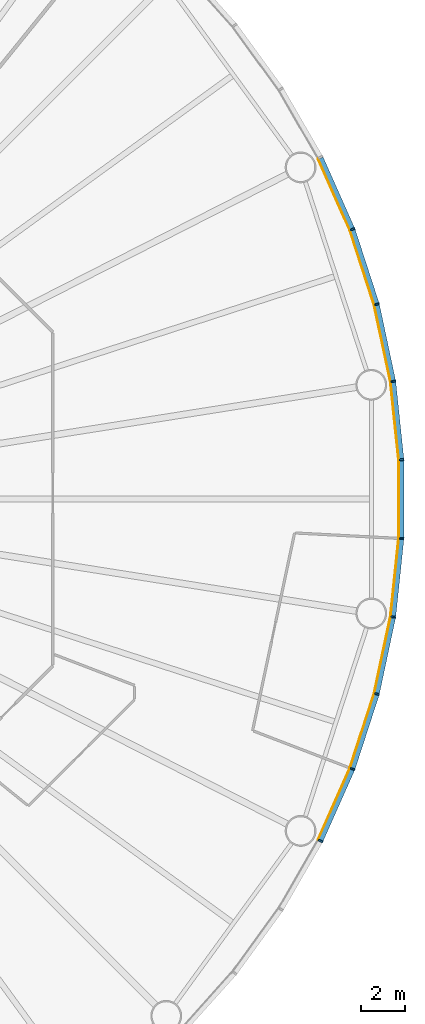
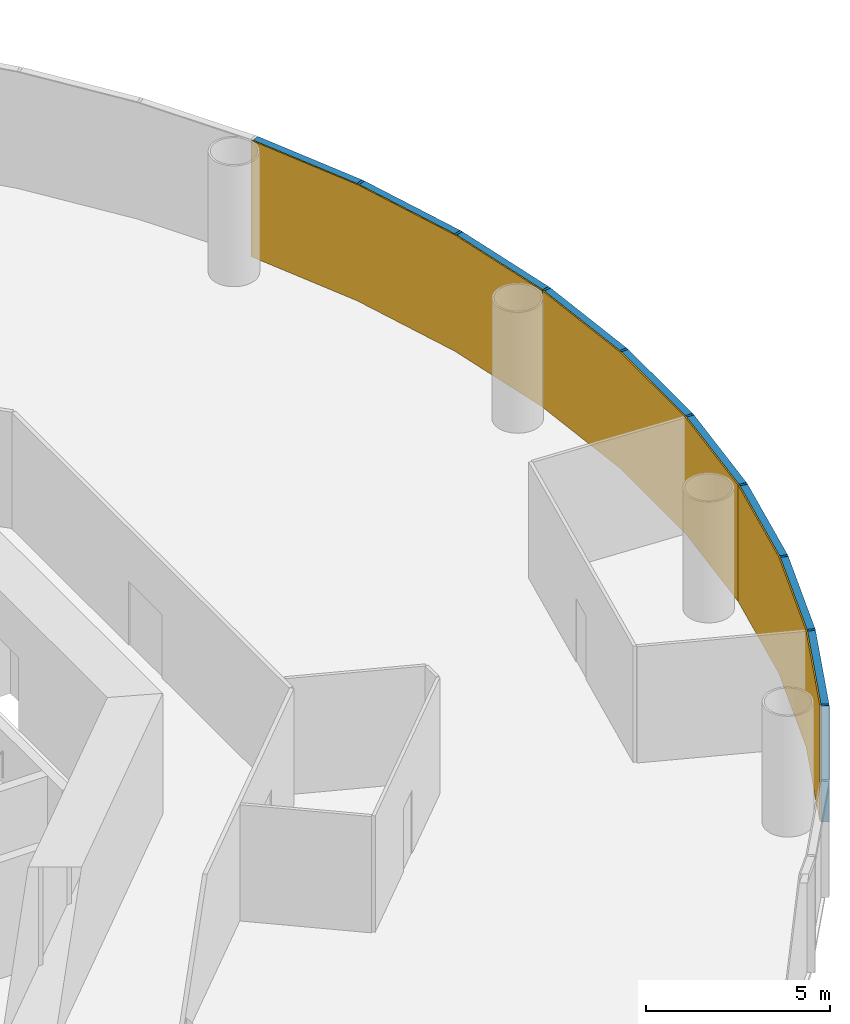
# One storey, part 11 of 13: 18 members, 3 curtain walls.
"""IFC4 building model written with IfcOpenShell, lengths in metres."""

from ifc_helpers import new_model, si_unit, direction, frame, origin, origin_2d, place, context, subcontext, project, spatial, polyline, rectangle, outline, extrude, material, layer, layer_set, material_profile, profile_set, type_object, element, aggregate, save


model = new_model("IFC4")

# Units and contexts
model_context = context("Model", 3, precision=1e-05, world=origin(), true_north=direction((0.0, 1.0)))
body_context = subcontext(model_context, "Body", "Model", "MODEL_VIEW")
ifc_project = project(units=[si_unit("LENGTHUNIT", "METRE"), si_unit("AREAUNIT", "SQUARE_METRE"), si_unit("VOLUMEUNIT", "CUBIC_METRE"), si_unit("PLANEANGLEUNIT", "RADIAN"), si_unit("MASSUNIT", "GRAM", prefix="KILO")], contexts=[model_context])

# Member
ifc_material_1 = material(Name="Anodised aluminium", Category="aluminium")
ifc_material_profile_1 = material_profile(ifc_material_1, rectangle(XDim=0.074951171875, YDim=0.219970703125, at=origin_2d()), Name="Mullion 75 x 220 mm anodised aluminium")
ifc_profile_set_1 = profile_set([ifc_material_profile_1], Name="Anodised aluminium")
member_type_1 = type_object("IfcMemberType", Name="Mullion 75 x 220 mm anodised aluminium", PredefinedType="MULLION", material=ifc_profile_set_1)
site_placement = place(None, origin())
building_placement = place(site_placement, origin())
storey_placement = place(building_placement, frame((0.0, 0.0, 46.0)))
member_1_placement = place(storey_placement, frame((123.68994140625, 85.3359375, 0.0), z_axis=(0.0, 0.0, 1.0), x_axis=(-0.15643446504, 0.987688340595, 0.0)))
member_1 = element("IfcMember", 1, at=member_1_placement, type_object=member_type_1, Name="MULLION L09-00", PredefinedType="MULLION", context=body_context, shape_type="SweptSolid", body=[
    extrude(rectangle(XDim=0.074951171875, YDim=0.219970703125, at=origin_2d()), origin(), (0.0, 0.0, 1.0), 3.85009765625),
])

member_2_placement = place(storey_placement, frame((122.94775390625, 88.828369140625, 0.0), z_axis=(0.0, 0.0, 1.0), x_axis=(-0.258819045103, 0.965925826289, 0.0)))
member_2 = element("IfcMember", 2, at=member_2_placement, type_object=member_type_1, Name="MULLION L09-01", PredefinedType="MULLION", context=body_context, shape_type="SweptSolid", body=[
    extrude(rectangle(XDim=0.074951171875, YDim=0.219970703125, at=origin_2d()), origin(), (0.0, 0.0, 1.0), 3.85009765625),
])

member_3_placement = place(storey_placement, frame((121.844482421875, 92.223876953125, 0.0), z_axis=(0.0, 0.0, 1.0), x_axis=(-0.358367949545, 0.933580426497, 0.0)))
member_3 = element("IfcMember", 3, at=member_3_placement, type_object=member_type_1, Name="MULLION L09-02", PredefinedType="MULLION", context=body_context, shape_type="SweptSolid", body=[
    extrude(rectangle(XDim=0.074951171875, YDim=0.219970703125, at=origin_2d()), origin(), (0.0, 0.0, 1.0), 3.85009765625),
])

member_4_placement = place(storey_placement, frame((120.392333984375, 64.514404296875, 0.0), z_axis=(0.0, 0.0, 1.0), x_axis=(0.45399049974, 0.891006524188, 0.0)))
member_4 = element("IfcMember", 4, at=member_4_placement, type_object=member_type_1, Name="MULLION L09-54", PredefinedType="MULLION", context=body_context, shape_type="SweptSolid", body=[
    extrude(rectangle(XDim=0.074951171875, YDim=0.219970703125, at=origin_2d()), origin(), (0.0, 0.0, 1.0), 3.85009765625),
])

member_5_placement = place(storey_placement, frame((121.844482421875, 67.776123046875, 0.0), z_axis=(0.0, 0.0, 1.0), x_axis=(0.358367949545, 0.933580426497, 0.0)))
member_5 = element("IfcMember", 5, at=member_5_placement, type_object=member_type_1, Name="MULLION L09-55", PredefinedType="MULLION", context=body_context, shape_type="SweptSolid", body=[
    extrude(rectangle(XDim=0.074951171875, YDim=0.219970703125, at=origin_2d()), origin(), (0.0, 0.0, 1.0), 3.85009765625),
])

member_6_placement = place(storey_placement, frame((122.94775390625, 71.171630859375, 0.0), z_axis=(0.0, 0.0, 1.0), x_axis=(0.258819045103, 0.965925826289, 0.0)))
member_6 = element("IfcMember", 6, at=member_6_placement, type_object=member_type_1, Name="MULLION L09-56", PredefinedType="MULLION", context=body_context, shape_type="SweptSolid", body=[
    extrude(rectangle(XDim=0.074951171875, YDim=0.219970703125, at=origin_2d()), origin(), (0.0, 0.0, 1.0), 3.85009765625),
])

member_7_placement = place(storey_placement, frame((123.68994140625, 74.6640625, 0.0), z_axis=(0.0, 0.0, 1.0), x_axis=(0.15643446504, 0.987688340595, 0.0)))
member_7 = element("IfcMember", 7, at=member_7_placement, type_object=member_type_1, Name="MULLION L09-57", PredefinedType="MULLION", context=body_context, shape_type="SweptSolid", body=[
    extrude(rectangle(XDim=0.074951171875, YDim=0.219970703125, at=origin_2d()), origin(), (0.0, 0.0, 1.0), 3.85009765625),
])

member_8_placement = place(storey_placement, frame((124.063232421875, 78.21484375, 0.0), z_axis=(0.0, 0.0, 1.0), x_axis=(0.052335956243, 0.998629534755, 0.0)))
member_8 = element("IfcMember", 8, at=member_8_placement, type_object=member_type_1, Name="MULLION L09-58", PredefinedType="MULLION", context=body_context, shape_type="SweptSolid", body=[
    extrude(rectangle(XDim=0.074951171875, YDim=0.219970703125, at=origin_2d()), origin(), (0.0, 0.0, 1.0), 3.85009765625),
])

member_9_placement = place(storey_placement, frame((124.063232421875, 81.78515625, 0.0), z_axis=(0.0, 0.0, 1.0), x_axis=(-0.052335956243, 0.998629534755, 0.0)))
member_9 = element("IfcMember", 9, at=member_9_placement, type_object=member_type_1, Name="MULLION L09-59", PredefinedType="MULLION", context=body_context, shape_type="SweptSolid", body=[
    extrude(rectangle(XDim=0.074951171875, YDim=0.219970703125, at=origin_2d()), origin(), (0.0, 0.0, 1.0), 3.85009765625),
])

ifc_material_2 = material(Name="Anodised aluminium", Category="aluminium")
ifc_material_profile_2 = material_profile(ifc_material_2, rectangle(XDim=0.219970703125, YDim=0.199951171875, at=origin_2d()), Name="Transom 200 x 220 mm anodised aluminium")
ifc_profile_set_2 = profile_set([ifc_material_profile_2], Name="Anodised aluminium")
member_type_2 = type_object("IfcMemberType", Name="Transom 200 x 220 mm anodised aluminium", PredefinedType="USERDEFINED", material=ifc_profile_set_2)
member_10_placement = place(storey_placement, frame((123.68115234375, 85.37841796875, 3.75), z_axis=(-0.207920776701, 0.978145669426, 0.0), x_axis=(-0.978145669426, -0.207920776701, 0.0)))
member_10 = element("IfcMember", 10, at=member_10_placement, type_object=member_type_2, Name="TRANSOM L09-00", ObjectType="TRANSOM", PredefinedType="USERDEFINED", context=body_context, shape_type="SweptSolid", body=[
    extrude(rectangle(XDim=0.219970703125, YDim=0.199951171875, at=origin_2d()), origin(), (0.0, 0.0, 1.0), 3.48388671875),
])

member_11_placement = place(storey_placement, frame((122.9345703125, 88.869384765625, 3.75), z_axis=(-0.309029029702, 0.951052605696, 0.0), x_axis=(-0.951052605696, -0.309029029702, 0.0)))
member_11 = element("IfcMember", 11, at=member_11_placement, type_object=member_type_2, Name="TRANSOM L09-01", ObjectType="TRANSOM", PredefinedType="USERDEFINED", context=body_context, shape_type="SweptSolid", body=[
    extrude(rectangle(XDim=0.219970703125, YDim=0.199951171875, at=origin_2d()), origin(), (0.0, 0.0, 1.0), 3.484130859375),
])

member_12_placement = place(storey_placement, frame((121.826904296875, 92.263427734375, 3.75), z_axis=(-0.406736576304, 0.913545487371, 0.0), x_axis=(-0.913545487371, -0.406736576304, 0.0)))
member_12 = element("IfcMember", 12, at=member_12_placement, type_object=member_type_2, Name="TRANSOM L09-02", ObjectType="TRANSOM", PredefinedType="USERDEFINED", context=body_context, shape_type="SweptSolid", body=[
    extrude(rectangle(XDim=0.219970703125, YDim=0.199951171875, at=origin_2d()), origin(), (0.0, 0.0, 1.0), 3.48388671875),
])

member_13_placement = place(storey_placement, frame((120.409912109375, 64.553955078125, 3.75), z_axis=(0.406736576304, 0.913545487371, 0.0), x_axis=(-0.913545487371, 0.406736576304, 0.0)))
member_13 = element("IfcMember", 13, at=member_13_placement, type_object=member_type_2, Name="TRANSOM L09-54", ObjectType="TRANSOM", PredefinedType="USERDEFINED", context=body_context, shape_type="SweptSolid", body=[
    extrude(rectangle(XDim=0.219970703125, YDim=0.199951171875, at=origin_2d()), origin(), (0.0, 0.0, 1.0), 3.48388671875),
])

member_14_placement = place(storey_placement, frame((121.85791015625, 67.817138671875, 3.75), z_axis=(0.309029029702, 0.951052605696, 0.0), x_axis=(-0.951052605696, 0.309029029702, 0.0)))
member_14 = element("IfcMember", 14, at=member_14_placement, type_object=member_type_2, Name="TRANSOM L09-55", ObjectType="TRANSOM", PredefinedType="USERDEFINED", context=body_context, shape_type="SweptSolid", body=[
    extrude(rectangle(XDim=0.219970703125, YDim=0.199951171875, at=origin_2d()), origin(), (0.0, 0.0, 1.0), 3.484130859375),
])

member_15_placement = place(storey_placement, frame((122.956787109375, 71.2138671875, 3.75), z_axis=(0.207920776701, 0.978145669426, 0.0), x_axis=(-0.978145669426, 0.207920776701, 0.0)))
member_15 = element("IfcMember", 15, at=member_15_placement, type_object=member_type_2, Name="TRANSOM L09-56", ObjectType="TRANSOM", PredefinedType="USERDEFINED", context=body_context, shape_type="SweptSolid", body=[
    extrude(rectangle(XDim=0.219970703125, YDim=0.199951171875, at=origin_2d()), origin(), (0.0, 0.0, 1.0), 3.48388671875),
])

member_16_placement = place(storey_placement, frame((123.69482421875, 74.70703125, 3.75), z_axis=(0.104484152234, 0.994526551648, 0.0), x_axis=(-0.994526551648, 0.104484152234, 0.0)))
member_16 = element("IfcMember", 16, at=member_16_placement, type_object=member_type_2, Name="TRANSOM L09-57", ObjectType="TRANSOM", PredefinedType="USERDEFINED", context=body_context, shape_type="SweptSolid", body=[
    extrude(rectangle(XDim=0.219970703125, YDim=0.199951171875, at=origin_2d()), origin(), (0.0, 0.0, 1.0), 3.48388671875),
])

member_17_placement = place(storey_placement, frame((124.0634765625, 78.258056640625, 3.75), z_axis=(0.0, 1.0, 0.0), x_axis=(-1.0, 0.0, 0.0)))
member_17 = element("IfcMember", 17, at=member_17_placement, type_object=member_type_2, Name="TRANSOM L09-58", ObjectType="TRANSOM", PredefinedType="USERDEFINED", context=body_context, shape_type="SweptSolid", body=[
    extrude(rectangle(XDim=0.219970703125, YDim=0.199951171875, at=origin_2d()), origin(), (0.0, 0.0, 1.0), 3.48388671875),
])

member_18_placement = place(storey_placement, frame((124.058837890625, 81.828125, 3.75), z_axis=(-0.104484152234, 0.994526551648, 0.0), x_axis=(-0.994526551648, -0.104484152234, 0.0)))
member_18 = element("IfcMember", 18, at=member_18_placement, type_object=member_type_2, Name="TRANSOM L09-59", ObjectType="TRANSOM", PredefinedType="USERDEFINED", context=body_context, shape_type="SweptSolid", body=[
    extrude(rectangle(XDim=0.219970703125, YDim=0.199951171875, at=origin_2d()), origin(), (0.0, 0.0, 1.0), 3.48388671875),
])

# Site, building, storey
site = spatial("IfcSite", under=ifc_project, at=site_placement, CompositionType="ELEMENT")
building = spatial("IfcBuilding", under=site, at=building_placement, Name="Entoto Ring Tower", CompositionType="ELEMENT")
storey = spatial("IfcBuildingStorey", under=building, at=storey_placement, Name="L09", CompositionType="ELEMENT", Elevation=46.0)

# Curtain wall
ifc_material_3 = material(Name="Clear low-iron glass", Category="glass")
ifc_layer = layer(ifc_material_3, 0.0400390625)
ifc_layer_set = layer_set([ifc_layer], Name="Clear low-iron glass")
curtain_wall_type = type_object("IfcCurtainWallType", Name="Curtain wall system CW1 glazing 40 mm", PredefinedType="NOTDEFINED", material=ifc_layer_set)
curtain_wall_1_placement = place(storey_placement, origin())
curtain_wall_1 = element("IfcCurtainWall", 19, at=curtain_wall_1_placement, inside=storey, type_object=curtain_wall_type, Name="CW1 L09-01", PredefinedType="NOTDEFINED", context=body_context, shape_type="SweptSolid", body=[
    extrude(outline(polyline([(123.581298828125, 85.31884765625), (122.841552734375, 88.7998046875), (121.74169921875, 92.1845703125), (120.294189453125, 95.435791015625), (120.258544921875, 95.41748046875), (121.704345703125, 92.170166015625), (122.802734375, 88.78955078125), (123.541748046875, 85.3125), (123.581298828125, 85.31884765625)])), origin(), (0.0, 0.0, 1.0), 3.85009765625),
])

aggregate(curtain_wall_1, [member_1, member_2, member_3, member_10, member_11, member_12])

curtain_wall_2_placement = place(storey_placement, origin())
curtain_wall_2 = element("IfcCurtainWall", 20, at=curtain_wall_2_placement, inside=storey, type_object=curtain_wall_type, Name="CW1 L09-19", PredefinedType="NOTDEFINED", context=body_context, shape_type="SweptSolid", body=[
    extrude(outline(polyline([(120.294189453125, 64.564208984375), (121.74169921875, 67.8154296875), (122.841552734375, 71.2001953125), (123.581298828125, 74.68115234375), (123.541748046875, 74.6875), (122.802734375, 71.21044921875), (121.704345703125, 67.829833984375), (120.258544921875, 64.58251953125), (120.294189453125, 64.564208984375)])), origin(), (0.0, 0.0, 1.0), 3.85009765625),
])

aggregate(curtain_wall_2, [member_4, member_5, member_6, member_13, member_14, member_15])

curtain_wall_3_placement = place(storey_placement, origin())
curtain_wall_3 = element("IfcCurtainWall", 21, at=curtain_wall_3_placement, inside=storey, type_object=curtain_wall_type, Name="CW1 L09-20", PredefinedType="NOTDEFINED", context=body_context, shape_type="SweptSolid", body=[
    extrude(outline(polyline([(123.581298828125, 74.68115234375), (123.953369140625, 78.220458984375), (123.953369140625, 81.779541015625), (123.581298828125, 85.31884765625), (123.541748046875, 85.3125), (123.913330078125, 81.77734375), (123.913330078125, 78.22265625), (123.541748046875, 74.6875), (123.581298828125, 74.68115234375)])), origin(), (0.0, 0.0, 1.0), 3.85009765625),
])

aggregate(curtain_wall_3, [member_7, member_8, member_9, member_16, member_17, member_18])

save(model, "model.ifc")
